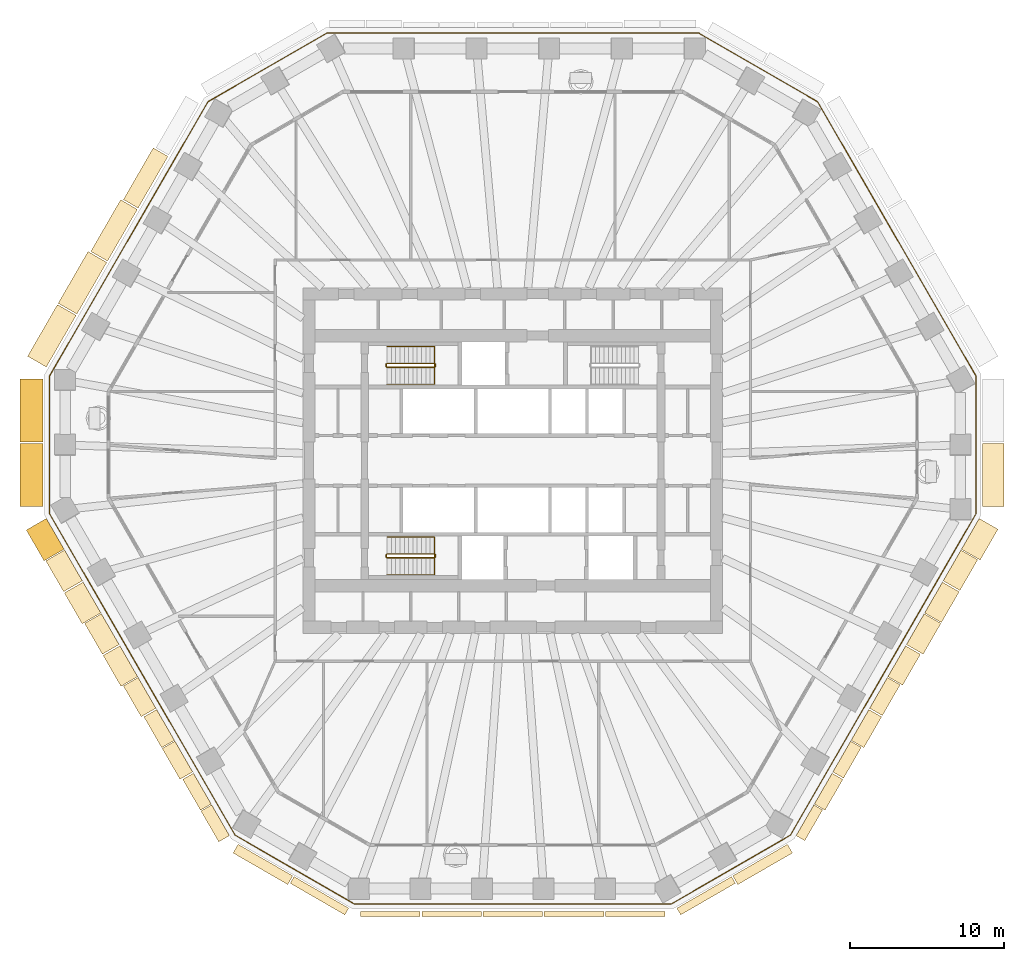
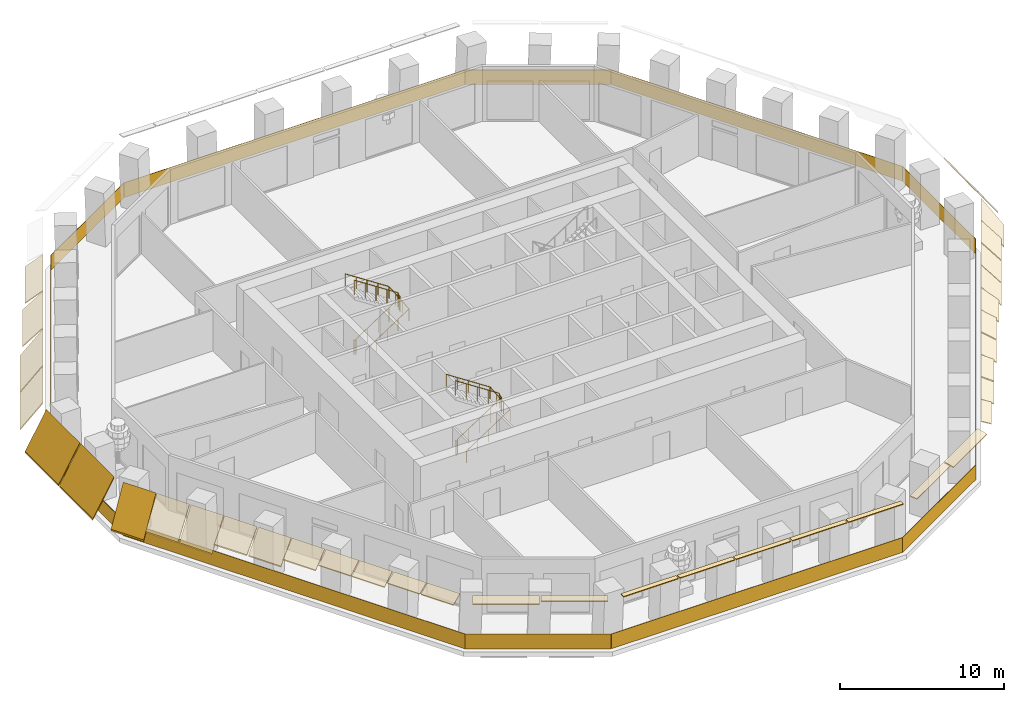
# One storey, part 10 of 13: 36 coverings, 5 railings.
"""IFC4 building model written with IfcOpenShell, lengths in metres."""

from ifc_helpers import new_model, si_unit, direction, frame, origin, origin_2d, place, context, subcontext, project, spatial, polyline, rectangle, circle, outline, extrude, material, layer, layer_set, type_object, element, save


model = new_model("IFC4")

# Units and contexts
model_context = context("Model", 3, precision=1e-05, world=origin(), true_north=direction((0.0, 1.0)))
body_context = subcontext(model_context, "Body", "Model", "MODEL_VIEW")
ifc_project = project(units=[si_unit("LENGTHUNIT", "METRE"), si_unit("AREAUNIT", "SQUARE_METRE"), si_unit("VOLUMEUNIT", "CUBIC_METRE"), si_unit("PLANEANGLEUNIT", "RADIAN"), si_unit("MASSUNIT", "GRAM", prefix="KILO")], contexts=[model_context])

# Site, building, storey
site_placement = place(None, origin())
site = spatial("IfcSite", under=ifc_project, at=site_placement, CompositionType="ELEMENT")
building_placement = place(site_placement, origin())
building = spatial("IfcBuilding", under=site, at=building_placement, Name="Frailejon Research Tower", CompositionType="ELEMENT")
storey_placement = place(building_placement, frame((0.0, 0.0, 113.199951171875)))
storey = spatial("IfcBuildingStorey", under=building, at=storey_placement, Name="L24", CompositionType="ELEMENT", Elevation=113.199951171875)

# Coverings
ifc_material_1 = material(Name="Precast concrete C50/60", Category="concrete")
ifc_layer_1 = layer(ifc_material_1, 0.06005859375)
ifc_layer_set_1 = layer_set([ifc_layer_1], Name="Brim blade depth 1100")
covering_type_1 = type_object("IfcCoveringType", Name="Brim blade depth 1100", PredefinedType="CLADDING", material=ifc_layer_set_1)
covering_1_placement = place(storey_placement, frame((-24.27734375, 16.36328125, 4.25), z_axis=(0.499990992214, 0.86603060437, 0.0), x_axis=(-0.86603060437, 0.499990992214, 0.0)))
element("IfcCovering", 1, at=covering_1_placement, inside=storey, type_object=covering_type_1, Name="Brim blade L24", PredefinedType="CLADDING", context=body_context, shape_type="SweptSolid", body=[
    extrude(outline(polyline([(0.0, -0.078369140625), (1.10009765625, -1.001220703125), (1.10009765625, -0.923095703125), (0.0, 0.0), (0.0, -0.078369140625)])), origin(), (0.0, 0.0, 1.0), 3.864990234375),
])
for number, where, z_axis, x_axis, name in (
    (2, (-23.12548828125, -16.04541015625, 4.25), (-0.499988831799, 0.866031851652, 0.0), (-0.866031851652, -0.499988831799, 0.0), "Brim blade L24"),
    (3, (25.45849609375, -12.00439453125, 4.25), (-0.499988831799, -0.866031851652, 0.0), (0.866031851652, -0.499988831799, 0.0), "Brim blade L24"),
):
    element("IfcCovering", number, at=place(storey_placement, frame(where, z_axis=z_axis, x_axis=x_axis)), inside=storey, type_object=covering_type_1, Name=name, PredefinedType="CLADDING", context=body_context, shape_type="SweptSolid", body=[
        extrude(outline(polyline([(0.0, -0.078369140625), (1.10009765625, -1.001220703125), (1.10009765625, -0.923095703125), (0.0, 0.0), (0.0, -0.078369140625)])), origin(), (0.0, 0.0, 1.0), 2.302978515625),
    ])
ifc_material_2 = material(Name="Precast concrete C50/60", Category="concrete")
ifc_layer_2 = layer(ifc_material_2, 0.06005859375)
ifc_layer_set_2 = layer_set([ifc_layer_2], Name="Brim blade depth 1250")
covering_type_2 = type_object("IfcCoveringType", Name="Brim blade depth 1250", PredefinedType="CLADDING", material=ifc_layer_set_2)
covering_2_placement = place(storey_placement, frame((-26.259765625, 12.9296875, 4.25), z_axis=(0.499990992214, 0.86603060437, 0.0), x_axis=(-0.86603060437, 0.499990992214, 0.0)))
element("IfcCovering", 4, at=covering_2_placement, inside=storey, type_object=covering_type_2, Name="Brim blade L24", PredefinedType="CLADDING", context=body_context, shape_type="SweptSolid", body=[
    extrude(outline(polyline([(0.0, -0.0888671875), (1.25, -1.452880859375), (1.25, -1.364013671875), (0.0, 0.0), (0.0, -0.0888671875)])), origin(), (0.0, 0.0, 1.0), 3.864990234375),
])
for number, where, z_axis, x_axis, name in (
    (5, (-25.508544921875, -11.91796875, 4.25), (-0.500004568187, 0.866022766324, 0.0), (-0.866022766324, -0.500004568187, 0.0), "Brim blade L24"),
    (6, (-24.306884765625, -13.9990234375, 4.25), (-0.499988831799, 0.866031851652, 0.0), (-0.866031851652, -0.499988831799, 0.0), "Brim blade L24"),
    (7, (26.66015625, -9.92333984375, 4.25), (-0.500004568187, -0.866022766324, 0.0), (0.866022766324, -0.500004568187, 0.0), "Brim blade L24"),
    (8, (27.841552734375, -7.876953125, 4.25), (-0.500004568187, -0.866022766324, 0.0), (0.866022766324, -0.500004568187, 0.0), "Brim blade L24"),
    (9, (29.043212890625, -5.7958984375, 4.25), (-0.499997917174, -0.866026606301, 0.0), (0.866026606301, -0.499997917174, 0.0), "Brim blade L24"),
):
    element("IfcCovering", number, at=place(storey_placement, frame(where, z_axis=z_axis, x_axis=x_axis)), inside=storey, type_object=covering_type_2, Name=name, PredefinedType="CLADDING", context=body_context, shape_type="SweptSolid", body=[
        extrude(outline(polyline([(0.0, -0.0888671875), (1.25, -1.452880859375), (1.25, -1.364013671875), (0.0, 0.0), (0.0, -0.0888671875)])), origin(), (0.0, 0.0, 1.0), 2.302978515625),
    ])
ifc_material_3 = material(Name="Precast concrete C50/60", Category="concrete")
ifc_layer_3 = layer(ifc_material_3, 0.06005859375)
ifc_layer_set_3 = layer_set([ifc_layer_3], Name="Brim blade depth 1400")
covering_type_3 = type_object("IfcCoveringType", Name="Brim blade depth 1400", PredefinedType="CLADDING", material=ifc_layer_set_3)
covering_3_placement = place(storey_placement, frame((30.430419921875, 1.1064453125, 4.25), z_axis=(0.0, -1.0, 0.0), x_axis=(1.0, 0.0, 0.0)))
element("IfcCovering", 10, at=covering_3_placement, inside=storey, type_object=covering_type_3, Name="Brim blade L24", PredefinedType="CLADDING", context=body_context, shape_type="SweptSolid", body=[
    extrude(outline(polyline([(0.0, -0.1044921875), (1.39990234375, -2.10400390625), (1.39990234375, -1.99951171875), (0.0, 0.0), (0.0, -0.1044921875)])), origin(), (0.0, 0.0, 1.0), 4.087646484375),
])
covering_4_placement = place(storey_placement, frame((-28.2421875, 9.49609375, 4.25), z_axis=(0.50000990814, 0.866019683242, 0.0), x_axis=(-0.866019683242, 0.50000990814, 0.0)))
element("IfcCovering", 11, at=covering_4_placement, inside=storey, type_object=covering_type_3, Name="Brim blade L24", PredefinedType="CLADDING", context=body_context, shape_type="SweptSolid", body=[
    extrude(outline(polyline([(0.0, -0.1044921875), (1.39990234375, -2.10400390625), (1.39990234375, -1.99951171875), (0.0, 0.0), (0.0, -0.1044921875)])), origin(), (0.0, 0.0, 1.0), 3.864990234375),
])
covering_5_placement = place(storey_placement, frame((-30.224609375, 6.0625, 4.25), z_axis=(0.500001913884, 0.8660242988, 0.0), x_axis=(-0.8660242988, 0.500001913884, 0.0)))
element("IfcCovering", 12, at=covering_5_placement, inside=storey, type_object=covering_type_3, Name="Brim blade L24", PredefinedType="CLADDING", context=body_context, shape_type="SweptSolid", body=[
    extrude(outline(polyline([(0.0, -0.1044921875), (1.39990234375, -2.10400390625), (1.39990234375, -1.99951171875), (0.0, 0.0), (0.0, -0.1044921875)])), origin(), (0.0, 0.0, 1.0), 3.86474609375),
])
for number, where, z_axis, x_axis, name in (
    (13, (-27.8916015625, -7.790283203125, 4.25), (-0.499997917174, 0.866026606301, 0.0), (-0.866026606301, -0.499997917174, 0.0), "Brim blade L24"),
    (14, (-26.690185546875, -9.871337890625, 4.25), (-0.500004568187, 0.866022766324, 0.0), (-0.866022766324, -0.500004568187, 0.0), "Brim blade L24"),
    (15, (30.224609375, -3.74951171875, 4.25), (-0.499997917174, -0.866026606301, 0.0), (0.866026606301, -0.499997917174, 0.0), "Brim blade L24"),
):
    element("IfcCovering", number, at=place(storey_placement, frame(where, z_axis=z_axis, x_axis=x_axis)), inside=storey, type_object=covering_type_3, Name=name, PredefinedType="CLADDING", context=body_context, shape_type="SweptSolid", body=[
        extrude(outline(polyline([(0.0, -0.1044921875), (1.39990234375, -2.10400390625), (1.39990234375, -1.99951171875), (0.0, 0.0), (0.0, -0.1044921875)])), origin(), (0.0, 0.0, 1.0), 2.302978515625),
    ])
ifc_material_4 = material(Name="Precast concrete C50/60", Category="concrete")
ifc_layer_4 = layer(ifc_material_4, 0.06005859375)
ifc_layer_set_4 = layer_set([ifc_layer_4], Name="Brim blade depth 1500")
covering_type_4 = type_object("IfcCoveringType", Name="Brim blade depth 1500", PredefinedType="CLADDING", material=ifc_layer_set_4)
for number, where, z_axis, x_axis, name in (
    (16, (-30.430419921875, 1.20654296875, 4.25), (0.0, 1.0, 0.0), (-1.0, 0.0, 0.0), "Brim blade L24"),
    (17, (-30.430419921875, -2.981201171875, 4.25), (0.0, 1.0, 0.0), (-1.0, 0.0, 0.0), "Brim blade L24"),
):
    element("IfcCovering", number, at=place(storey_placement, frame(where, z_axis=z_axis, x_axis=x_axis)), inside=storey, type_object=covering_type_4, Name=name, PredefinedType="CLADDING", context=body_context, shape_type="SweptSolid", body=[
        extrude(outline(polyline([(0.0, -0.1201171875), (1.5, -2.718017578125), (1.5, -2.59814453125), (0.0, 0.0), (0.0, -0.1201171875)])), origin(), (0.0, 0.0, 1.0), 4.087646484375),
    ])
covering_6_placement = place(storey_placement, frame((-29.072998046875, -5.743896484375, 4.25), z_axis=(-0.499997917174, 0.866026606301, 0.0), x_axis=(-0.866026606301, -0.499997917174, 0.0)))
element("IfcCovering", 18, at=covering_6_placement, inside=storey, type_object=covering_type_4, Name="Brim blade L24", PredefinedType="CLADDING", context=body_context, shape_type="SweptSolid", body=[
    extrude(outline(polyline([(0.0, -0.1201171875), (1.5, -2.718017578125), (1.5, -2.59814453125), (0.0, 0.0), (0.0, -0.1201171875)])), origin(), (0.0, 0.0, 1.0), 2.302978515625),
])
ifc_material_5 = material(Name="Precast concrete C50/60", Category="concrete")
ifc_layer_5 = layer(ifc_material_5, 0.06005859375)
ifc_layer_set_5 = layer_set([ifc_layer_5], Name="Brim blade depth 350")
covering_type_5 = type_object("IfcCoveringType", Name="Brim blade depth 350", PredefinedType="CLADDING", material=ifc_layer_set_5)
for number, where, z_axis, x_axis, name in (
    (19, (-5.997314453125, -29.20654296875, 4.25), (-1.0, 0.0, 0.0), (0.0, -1.0, 0.0), "Brim blade L24"),
    (20, (-2.032470703125, -29.20654296875, 4.25), (-1.0, 0.0, 0.0), (0.0, -1.0, 0.0), "Brim blade L24"),
):
    element("IfcCovering", number, at=place(storey_placement, frame(where, z_axis=z_axis, x_axis=x_axis)), inside=storey, type_object=covering_type_5, Name=name, PredefinedType="CLADDING", context=body_context, shape_type="SweptSolid", body=[
        extrude(outline(polyline([(0.0, -0.06005859375), (0.35009765625, -0.06005859375), (0.35009765625, 0.0), (0.0, 0.0), (0.0, -0.06005859375)])), origin(), (0.0, 0.0, 1.0), 3.864990234375),
    ])
covering_7_placement = place(storey_placement, frame((1.932373046875, -29.20654296875, 4.25), z_axis=(-1.0, 0.0, 0.0), x_axis=(0.0, -1.0, 0.0)))
element("IfcCovering", 21, at=covering_7_placement, inside=storey, type_object=covering_type_5, Name="Brim blade L24", PredefinedType="CLADDING", context=body_context, shape_type="SweptSolid", body=[
    extrude(outline(polyline([(0.0, -0.06005859375), (0.35009765625, -0.06005859375), (0.35009765625, 0.0), (0.0, 0.0), (0.0, -0.06005859375)])), origin(), (0.0, 0.0, 1.0), 3.86474609375),
])
for number, where, z_axis, x_axis, name in (
    (22, (5.897216796875, -29.20654296875, 4.25), (-1.0, 0.0, 0.0), (0.0, -1.0, 0.0), "Brim blade L24"),
    (23, (9.8623046875, -29.20654296875, 4.25), (-1.0, 0.0, 0.0), (0.0, -1.0, 0.0), "Brim blade L24"),
):
    element("IfcCovering", number, at=place(storey_placement, frame(where, z_axis=z_axis, x_axis=x_axis)), inside=storey, type_object=covering_type_5, Name=name, PredefinedType="CLADDING", context=body_context, shape_type="SweptSolid", body=[
        extrude(outline(polyline([(0.0, -0.06005859375), (0.35009765625, -0.06005859375), (0.35009765625, 0.0), (0.0, 0.0), (0.0, -0.06005859375)])), origin(), (0.0, 0.0, 1.0), 3.864990234375),
    ])
ifc_material_6 = material(Name="Precast concrete C50/60", Category="concrete")
ifc_layer_6 = layer(ifc_material_6, 0.06005859375)
ifc_layer_set_6 = layer_set([ifc_layer_6], Name="Brim blade depth 500")
covering_type_6 = type_object("IfcCoveringType", Name="Brim blade depth 500", PredefinedType="CLADDING", material=ifc_layer_set_6)
for number, where, z_axis, x_axis, name in (
    (24, (-10.630615234375, -29.00048828125, 4.25), (-0.866021344981, 0.500007029989, 0.0), (-0.500007029989, -0.866021344981, 0.0), "Brim blade L24"),
    (25, (14.17041015625, -26.956787109375, 4.25), (-0.866021344981, -0.500007029989, 0.0), (0.500007029989, -0.866021344981, 0.0), "Brim blade L24"),
):
    element("IfcCovering", number, at=place(storey_placement, frame(where, z_axis=z_axis, x_axis=x_axis)), inside=storey, type_object=covering_type_6, Name=name, PredefinedType="CLADDING", context=body_context, shape_type="SweptSolid", body=[
        extrude(outline(polyline([(0.0, -0.060546875), (0.5, -0.130859375), (0.5, -0.0703125), (0.0, 0.0), (0.0, -0.060546875)])), origin(), (0.0, 0.0, 1.0), 4.08740234375),
    ])
ifc_material_7 = material(Name="Precast concrete C50/60", Category="concrete")
ifc_layer_7 = layer(ifc_material_7, 0.06005859375)
ifc_layer_set_7 = layer_set([ifc_layer_7], Name="Brim blade depth 650")
covering_type_7 = type_object("IfcCoveringType", Name="Brim blade depth 650", PredefinedType="CLADDING", material=ifc_layer_set_7)
for number, where, z_axis, x_axis, name in (
    (26, (-14.257080078125, -26.90673828125, 4.25), (-0.866021344981, 0.500007029989, 0.0), (-0.500007029989, -0.866021344981, 0.0), "Brim blade L24"),
    (27, (17.796875, -24.863037109375, 4.25), (-0.866021344981, -0.500007029989, 0.0), (0.500007029989, -0.866021344981, 0.0), "Brim blade L24"),
):
    element("IfcCovering", number, at=place(storey_placement, frame(where, z_axis=z_axis, x_axis=x_axis)), inside=storey, type_object=covering_type_7, Name=name, PredefinedType="CLADDING", context=body_context, shape_type="SweptSolid", body=[
        extrude(outline(polyline([(0.0, -0.0625), (0.64990234375, -0.248779296875), (0.64990234375, -0.186279296875), (0.0, 0.0), (0.0, -0.0625)])), origin(), (0.0, 0.0, 1.0), 4.08740234375),
    ])
covering_8_placement = place(storey_placement, frame((19.510986328125, -22.30615234375, 4.25), z_axis=(-0.500013653034, -0.866017521058, 0.0), x_axis=(0.866017521058, -0.500013653034, 0.0)))
element("IfcCovering", 28, at=covering_8_placement, inside=storey, type_object=covering_type_7, Name="Brim blade L24", PredefinedType="CLADDING", context=body_context, shape_type="SweptSolid", body=[
    extrude(outline(polyline([(0.0, -0.0625), (0.64990234375, -0.248779296875), (0.64990234375, -0.186279296875), (0.0, 0.0), (0.0, -0.0625)])), origin(), (0.0, 0.0, 1.0), 2.302978515625),
])
ifc_material_8 = material(Name="Precast concrete C50/60", Category="concrete")
ifc_layer_8 = layer(ifc_material_8, 0.06005859375)
ifc_layer_set_8 = layer_set([ifc_layer_8], Name="Brim blade depth 800")
covering_type_8 = type_object("IfcCoveringType", Name="Brim blade depth 800", PredefinedType="CLADDING", material=ifc_layer_set_8)
for number, where, z_axis, x_axis, name in (
    (29, (-19.541015625, -22.254150390625, 4.25), (-0.500013653034, 0.866017521058, 0.0), (-0.866017521058, -0.500013653034, 0.0), "Brim blade L24"),
    (30, (-18.359375, -24.300537109375, 4.25), (-0.500013653034, 0.866017521058, 0.0), (-0.866017521058, -0.500013653034, 0.0), "Brim blade L24"),
    (31, (20.6923828125, -20.259765625, 4.25), (-0.500013653034, -0.866017521058, 0.0), (0.866017521058, -0.500013653034, 0.0), "Brim blade L24"),
    (32, (21.89404296875, -18.1787109375, 4.25), (-0.500004568187, -0.866022766324, 0.0), (0.866022766324, -0.500004568187, 0.0), "Brim blade L24"),
):
    element("IfcCovering", number, at=place(storey_placement, frame(where, z_axis=z_axis, x_axis=x_axis)), inside=storey, type_object=covering_type_8, Name=name, PredefinedType="CLADDING", context=body_context, shape_type="SweptSolid", body=[
        extrude(outline(polyline([(0.0, -0.065673828125), (0.800048828125, -0.421875), (0.800048828125, -0.356201171875), (0.0, 0.0), (0.0, -0.065673828125)])), origin(), (0.0, 0.0, 1.0), 2.302978515625),
    ])
ifc_material_9 = material(Name="Precast concrete C50/60", Category="concrete")
ifc_layer_9 = layer(ifc_material_9, 0.06005859375)
ifc_layer_set_9 = layer_set([ifc_layer_9], Name="Brim blade depth 950")
covering_type_9 = type_object("IfcCoveringType", Name="Brim blade depth 950", PredefinedType="CLADDING", material=ifc_layer_set_9)
for number, where, z_axis, x_axis, name in (
    (33, (-21.924072265625, -18.126708984375, 4.25), (-0.500004568187, 0.866022766324, 0.0), (-0.866022766324, -0.500004568187, 0.0), "Brim blade L24"),
    (34, (-20.742431640625, -20.173095703125, 4.25), (-0.500004568187, 0.866022766324, 0.0), (-0.866022766324, -0.500004568187, 0.0), "Brim blade L24"),
    (35, (23.075439453125, -16.132080078125, 4.25), (-0.500004568187, -0.866022766324, 0.0), (0.866022766324, -0.500004568187, 0.0), "Brim blade L24"),
    (36, (24.277099609375, -14.051025390625, 4.25), (-0.499988831799, -0.866031851652, 0.0), (0.866031851652, -0.499988831799, 0.0), "Brim blade L24"),
):
    element("IfcCovering", number, at=place(storey_placement, frame(where, z_axis=z_axis, x_axis=x_axis)), inside=storey, type_object=covering_type_9, Name=name, PredefinedType="CLADDING", context=body_context, shape_type="SweptSolid", body=[
        extrude(outline(polyline([(0.0, -0.07080078125), (0.949951171875, -0.664306640625), (0.949951171875, -0.593505859375), (0.0, 0.0), (0.0, -0.07080078125)])), origin(), (0.0, 0.0, 1.0), 2.302978515625),
    ])

# Railings
ifc_material_10 = material(Name="Laminated glass balustrade", Category="glass")
railing_type_1 = type_object("IfcRailingType", Name="Glass guard 1100", PredefinedType="GUARDRAIL", material=ifc_material_10)
railing_1_placement = place(storey_placement, frame((30.015380859375, -3.441162109375, 0.0)))
element("IfcRailing", 37, at=railing_1_placement, inside=storey, type_object=railing_type_1, Name="Loggia guard L24", PredefinedType="GUARDRAIL", context=body_context, shape_type="SweptSolid", body=[
    extrude(rectangle(XDim=8.9189453125, YDim=0.030029296875, at=origin_2d()), frame((0.0, 4.45947265625, 0.0), z_axis=(0.0, 0.0, 1.0), x_axis=(0.0, 1.0, 0.0)), (0.0, 0.0, 1.0), 1.10009765625),
    extrude(rectangle(XDim=20.52783203125, YDim=0.030029296875, at=origin_2d()), frame((-5.1318359375, 17.8076171875, 0.0), z_axis=(0.0, 0.0, 1.0), x_axis=(-0.500000762189, 0.866024963734, 0.0)), (0.0, 0.0, 1.0), 1.10009765625),
    extrude(rectangle(XDim=8.918701171875, YDim=0.030029296875, at=origin_2d()), frame((-14.1259765625, 28.92626953125, 0.0), z_axis=(0.0, 0.0, 1.0), x_axis=(-0.866032876802, 0.49998705613, 0.0)), (0.0, 0.0, 1.0), 1.10009765625),
    extrude(rectangle(XDim=24.05517578125, YDim=0.030029296875, at=origin_2d()), frame((-30.015380859375, 31.15576171875, 0.0), z_axis=(0.0, 0.0, 1.0), x_axis=(-1.0, 0.0, 0.0)), (0.0, 0.0, 1.0), 1.10009765625),
    extrude(rectangle(XDim=8.918701171875, YDim=0.030029296875, at=origin_2d()), frame((-45.90478515625, 28.92626953125, 0.0), z_axis=(0.0, 0.0, 1.0), x_axis=(-0.866032876802, -0.49998705613, 0.0)), (0.0, 0.0, 1.0), 1.10009765625),
    extrude(rectangle(XDim=20.52783203125, YDim=0.030029296875, at=origin_2d()), frame((-54.89892578125, 17.8076171875, 0.0), z_axis=(0.0, 0.0, 1.0), x_axis=(-0.500000762189, -0.866024963734, 0.0)), (0.0, 0.0, 1.0), 1.10009765625),
    extrude(rectangle(XDim=8.9189453125, YDim=0.030029296875, at=origin_2d()), frame((-60.03076171875, 4.45947265625, 0.0), z_axis=(0.0, 0.0, 1.0), x_axis=(0.0, -1.0, 0.0)), (0.0, 0.0, 1.0), 1.10009765625),
    extrude(rectangle(XDim=24.05517578125, YDim=0.030029296875, at=origin_2d()), frame((-54.01708984375, -10.416015625, 0.0), z_axis=(0.0, 0.0, 1.0), x_axis=(0.500002122815, -0.866024178173, 0.0)), (0.0, 0.0, 1.0), 1.10009765625),
    extrude(rectangle(XDim=8.918701171875, YDim=0.030029296875, at=origin_2d()), frame((-44.14111328125, -23.06201171875, 0.0), z_axis=(0.0, 0.0, 1.0), x_axis=(0.866021023613, -0.500007586602, 0.0)), (0.0, 0.0, 1.0), 1.10009765625),
    extrude(rectangle(XDim=20.52783203125, YDim=0.030029296875, at=origin_2d()), frame((-30.015380859375, -25.291748046875, 0.0), z_axis=(0.0, 0.0, 1.0), x_axis=(1.0, 0.0, 0.0)), (0.0, 0.0, 1.0), 1.10009765625),
    extrude(rectangle(XDim=8.918701171875, YDim=0.030029296875, at=origin_2d()), frame((-15.8896484375, -23.06201171875, 0.0), z_axis=(0.0, 0.0, 1.0), x_axis=(0.866021023613, 0.500007586602, 0.0)), (0.0, 0.0, 1.0), 1.10009765625),
    extrude(rectangle(XDim=23.98486328125, YDim=0.030029296875, at=origin_2d()), frame((-6.03125, -10.446533203125, 0.0), z_axis=(0.0, 0.0, 1.0), x_axis=(0.50000793263, 0.86602082383, 0.0)), (0.0, 0.0, 1.0), 1.10009765625),
])
ifc_material_11 = material(Name="Stainless steel", Category="steel")
railing_type_2 = type_object("IfcRailingType", Name="Stair guard 1100", PredefinedType="GUARDRAIL", material=ifc_material_11)
railing_2_placement = place(storey_placement, frame((-8.199951171875, 6.25, 0.0)))
element("IfcRailing", 38, at=railing_2_placement, inside=storey, type_object=railing_type_2, Name="L24 ST1 stair guard 1", PredefinedType="GUARDRAIL", context=body_context, shape_type="SweptSolid", body=[
    extrude(circle(Radius=0.02392578125, at=origin_2d()), frame((0.0, 0.0, 1.076171875), z_axis=(0.0, -1.0, 0.0), x_axis=(1.0, 0.0, 0.0)), (0.0, 0.0, 1.0), 0.14990234375),
    extrude(circle(Radius=0.02392578125, at=origin_2d()), frame((0.0, -0.14990234375, 1.076171875), z_axis=(0.254653276557, -0.254653276557, 0.932900539971), x_axis=(0.707106781187, 0.707106781187, 0.0)), (0.0, 0.0, 1.0), 0.196533203125),
    extrude(circle(Radius=0.02392578125, at=origin_2d()), frame((0.050048828125, -0.199951171875, 1.25927734375), z_axis=(0.836613101238, 0.0, 0.547794230379), x_axis=(0.0, 1.0, 0.0)), (0.0, 0.0, 1.0), 3.681396484375),
    extrude(circle(Radius=0.02392578125, at=origin_2d()), frame((3.1298828125, -0.199951171875, 3.27587890625), z_axis=(0.707106781187, 0.707106781187, 0.0), x_axis=(-0.707106781187, 0.707106781187, 0.0)), (0.0, 0.0, 1.0), 0.07080078125),
    extrude(circle(Radius=0.02392578125, at=origin_2d()), frame((3.179931640625, -0.14990234375, 3.27587890625), z_axis=(0.0, 1.0, 0.0), x_axis=(-1.0, 0.0, 0.0)), (0.0, 0.0, 1.0), 0.14990234375),
    extrude(circle(Radius=0.02392578125, at=origin_2d()), frame((3.179931640625, 0.0, 3.27587890625), z_axis=(-0.254653276557, 0.254653276557, 0.932900539971), x_axis=(-0.707106781187, -0.707106781187, 0.0)), (0.0, 0.0, 1.0), 0.196533203125),
    extrude(circle(Radius=0.02392578125, at=origin_2d()), frame((3.1298828125, 0.050048828125, 3.45947265625), z_axis=(-0.836582707638, 0.0, 0.547840645882), x_axis=(0.0, -1.0, 0.0)), (0.0, 0.0, 1.0), 3.681396484375),
    extrude(circle(Radius=0.02099609375, at=origin_2d()), origin(), (0.0, 0.0, 1.0), 1.052001953125),
    extrude(circle(Radius=0.02099609375, at=origin_2d()), frame((0.0, -0.14990234375, 0.0)), (0.0, 0.0, 1.0), 1.052001953125),
    extrude(circle(Radius=0.02099609375, at=origin_2d()), frame((0.050048828125, -0.199951171875, 0.183349609375)), (0.0, 0.0, 1.0), 1.052001953125),
    extrude(circle(Radius=0.02099609375, at=origin_2d()), frame((0.820068359375, -0.199951171875, 0.6875)), (0.0, 0.0, 1.0), 1.052001953125),
    extrude(circle(Radius=0.02099609375, at=origin_2d()), frame((1.58984375, -0.199951171875, 1.191650390625)), (0.0, 0.0, 1.0), 1.052001953125),
    extrude(circle(Radius=0.02099609375, at=origin_2d()), frame((2.35986328125, -0.199951171875, 1.69580078125)), (0.0, 0.0, 1.0), 1.052001953125),
    extrude(circle(Radius=0.02099609375, at=origin_2d()), frame((3.1298828125, -0.199951171875, 2.199951171875)), (0.0, 0.0, 1.0), 1.052001953125),
    extrude(circle(Radius=0.02099609375, at=origin_2d()), frame((3.179931640625, -0.14990234375, 2.199951171875)), (0.0, 0.0, 1.0), 1.052001953125),
    extrude(circle(Radius=0.02099609375, at=origin_2d()), frame((3.179931640625, 0.0, 2.199951171875)), (0.0, 0.0, 1.0), 1.052001953125),
    extrude(circle(Radius=0.02099609375, at=origin_2d()), frame((3.1298828125, 0.050048828125, 2.38330078125)), (0.0, 0.0, 1.0), 1.052001953125),
    extrude(circle(Radius=0.02099609375, at=origin_2d()), frame((2.35986328125, 0.050048828125, 2.887451171875)), (0.0, 0.0, 1.0), 1.052001953125),
    extrude(circle(Radius=0.02099609375, at=origin_2d()), frame((1.58984375, 0.050048828125, 3.3916015625)), (0.0, 0.0, 1.0), 1.052001953125),
    extrude(circle(Radius=0.02099609375, at=origin_2d()), frame((0.820068359375, 0.050048828125, 3.89599609375)), (0.0, 0.0, 1.0), 1.052001953125),
    extrude(circle(Radius=0.02099609375, at=origin_2d()), frame((0.050048828125, 0.050048828125, 4.400146484375)), (0.0, 0.0, 1.0), 1.052001953125),
])
railing_3_placement = place(storey_placement, frame((-8.199951171875, -6.10009765625, 0.0)))
element("IfcRailing", 39, at=railing_3_placement, inside=storey, type_object=railing_type_2, Name="L24 ST2 stair guard 1", PredefinedType="GUARDRAIL", context=body_context, shape_type="SweptSolid", body=[
    extrude(circle(Radius=0.02392578125, at=origin_2d()), frame((0.0, 0.0, 1.076171875), z_axis=(0.0, -1.0, 0.0), x_axis=(1.0, 0.0, 0.0)), (0.0, 0.0, 1.0), 0.14990234375),
    extrude(circle(Radius=0.02392578125, at=origin_2d()), frame((0.0, -0.14990234375, 1.076171875), z_axis=(0.254653276557, -0.254653276557, 0.932900539971), x_axis=(0.707106781187, 0.707106781187, 0.0)), (0.0, 0.0, 1.0), 0.196533203125),
    extrude(circle(Radius=0.02392578125, at=origin_2d()), frame((0.050048828125, -0.199951171875, 1.25927734375), z_axis=(0.836613101238, 0.0, 0.547794230379), x_axis=(0.0, 1.0, 0.0)), (0.0, 0.0, 1.0), 3.681396484375),
    extrude(circle(Radius=0.02392578125, at=origin_2d()), frame((3.1298828125, -0.199951171875, 3.27587890625), z_axis=(0.707106781187, 0.707106781187, 0.0), x_axis=(-0.707106781187, 0.707106781187, 0.0)), (0.0, 0.0, 1.0), 0.07080078125),
    extrude(circle(Radius=0.02392578125, at=origin_2d()), frame((3.179931640625, -0.14990234375, 3.27587890625), z_axis=(0.0, 1.0, 0.0), x_axis=(-1.0, 0.0, 0.0)), (0.0, 0.0, 1.0), 0.14990234375),
    extrude(circle(Radius=0.02392578125, at=origin_2d()), frame((3.179931640625, 0.0, 3.27587890625), z_axis=(-0.254653276557, 0.254653276557, 0.932900539971), x_axis=(-0.707106781187, -0.707106781187, 0.0)), (0.0, 0.0, 1.0), 0.196533203125),
    extrude(circle(Radius=0.02392578125, at=origin_2d()), frame((3.1298828125, 0.050048828125, 3.45947265625), z_axis=(-0.836582707638, 0.0, 0.547840645882), x_axis=(0.0, -1.0, 0.0)), (0.0, 0.0, 1.0), 3.681396484375),
    extrude(circle(Radius=0.02099609375, at=origin_2d()), origin(), (0.0, 0.0, 1.0), 1.052001953125),
    extrude(circle(Radius=0.02099609375, at=origin_2d()), frame((0.0, -0.14990234375, 0.0)), (0.0, 0.0, 1.0), 1.052001953125),
    extrude(circle(Radius=0.02099609375, at=origin_2d()), frame((0.050048828125, -0.199951171875, 0.183349609375)), (0.0, 0.0, 1.0), 1.052001953125),
    extrude(circle(Radius=0.02099609375, at=origin_2d()), frame((0.820068359375, -0.199951171875, 0.6875)), (0.0, 0.0, 1.0), 1.052001953125),
    extrude(circle(Radius=0.02099609375, at=origin_2d()), frame((1.58984375, -0.199951171875, 1.191650390625)), (0.0, 0.0, 1.0), 1.052001953125),
    extrude(circle(Radius=0.02099609375, at=origin_2d()), frame((2.35986328125, -0.199951171875, 1.69580078125)), (0.0, 0.0, 1.0), 1.052001953125),
    extrude(circle(Radius=0.02099609375, at=origin_2d()), frame((3.1298828125, -0.199951171875, 2.199951171875)), (0.0, 0.0, 1.0), 1.052001953125),
    extrude(circle(Radius=0.02099609375, at=origin_2d()), frame((3.179931640625, -0.14990234375, 2.199951171875)), (0.0, 0.0, 1.0), 1.052001953125),
    extrude(circle(Radius=0.02099609375, at=origin_2d()), frame((3.179931640625, 0.0, 2.199951171875)), (0.0, 0.0, 1.0), 1.052001953125),
    extrude(circle(Radius=0.02099609375, at=origin_2d()), frame((3.1298828125, 0.050048828125, 2.38330078125)), (0.0, 0.0, 1.0), 1.052001953125),
    extrude(circle(Radius=0.02099609375, at=origin_2d()), frame((2.35986328125, 0.050048828125, 2.887451171875)), (0.0, 0.0, 1.0), 1.052001953125),
    extrude(circle(Radius=0.02099609375, at=origin_2d()), frame((1.58984375, 0.050048828125, 3.3916015625)), (0.0, 0.0, 1.0), 1.052001953125),
    extrude(circle(Radius=0.02099609375, at=origin_2d()), frame((0.820068359375, 0.050048828125, 3.89599609375)), (0.0, 0.0, 1.0), 1.052001953125),
    extrude(circle(Radius=0.02099609375, at=origin_2d()), frame((0.050048828125, 0.050048828125, 4.400146484375)), (0.0, 0.0, 1.0), 1.052001953125),
])
ifc_material_12 = material(Name="Stainless steel", Category="steel")
railing_type_3 = type_object("IfcRailingType", Name="Stair handrail 900", PredefinedType="HANDRAIL", material=ifc_material_12)
railing_4_placement = place(storey_placement, frame((-8.14990234375, 4.949951171875, 0.183349609375)))
element("IfcRailing", 40, at=railing_4_placement, inside=storey, type_object=railing_type_3, Name="L24 ST1 stair handrail 1", PredefinedType="HANDRAIL", context=body_context, shape_type="SweptSolid", body=[
    extrude(circle(Radius=0.02392578125, at=origin_2d()), frame((0.0, 0.0, 0.8759765625), z_axis=(0.836613101238, 0.0, 0.547794230379), x_axis=(0.0, 1.0, 0.0)), (0.0, 0.0, 1.0), 3.681396484375),
    extrude(circle(Radius=0.02392578125, at=origin_2d()), frame((3.079833984375, 0.0, 2.892578125), z_axis=(0.0, 0.99721134034, 0.074629368868), x_axis=(-1.0, 0.0, 0.0)), (0.0, 0.0, 1.0), 2.456787109375),
    extrude(circle(Radius=0.02392578125, at=origin_2d()), frame((3.079833984375, 2.449951171875, 3.07568359375), z_axis=(-0.836582707638, 0.0, 0.547840645882), x_axis=(0.0, -1.0, 0.0)), (0.0, 0.0, 1.0), 3.681396484375),
    extrude(circle(Radius=0.02099609375, at=origin_2d()), origin(), (0.0, 0.0, 1.0), 0.851806640625),
    extrude(circle(Radius=0.02099609375, at=origin_2d()), frame((0.77001953125, 0.0, 0.504150390625)), (0.0, 0.0, 1.0), 0.851806640625),
    extrude(circle(Radius=0.02099609375, at=origin_2d()), frame((1.5400390625, 0.0, 1.00830078125)), (0.0, 0.0, 1.0), 0.851806640625),
    extrude(circle(Radius=0.02099609375, at=origin_2d()), frame((2.309814453125, 0.0, 1.512451171875)), (0.0, 0.0, 1.0), 0.851806640625),
    extrude(circle(Radius=0.02099609375, at=origin_2d()), frame((3.079833984375, 0.0, 2.0166015625)), (0.0, 0.0, 1.0), 0.851806640625),
    extrude(circle(Radius=0.02099609375, at=origin_2d()), frame((3.079833984375, 0.816650390625, 2.07763671875)), (0.0, 0.0, 1.0), 0.851806640625),
    extrude(circle(Radius=0.02099609375, at=origin_2d()), frame((3.079833984375, 1.63330078125, 2.138916015625)), (0.0, 0.0, 1.0), 0.851806640625),
    extrude(circle(Radius=0.02099609375, at=origin_2d()), frame((3.079833984375, 2.449951171875, 2.199951171875)), (0.0, 0.0, 1.0), 0.851806640625),
    extrude(circle(Radius=0.02099609375, at=origin_2d()), frame((2.309814453125, 2.449951171875, 2.7041015625)), (0.0, 0.0, 1.0), 0.851806640625),
    extrude(circle(Radius=0.02099609375, at=origin_2d()), frame((1.5400390625, 2.449951171875, 3.20849609375)), (0.0, 0.0, 1.0), 0.851806640625),
    extrude(circle(Radius=0.02099609375, at=origin_2d()), frame((0.77001953125, 2.449951171875, 3.712646484375)), (0.0, 0.0, 1.0), 0.851806640625),
    extrude(circle(Radius=0.02099609375, at=origin_2d()), frame((0.0, 2.449951171875, 4.216796875)), (0.0, 0.0, 1.0), 0.851806640625),
])
railing_5_placement = place(storey_placement, frame((-8.14990234375, -7.39990234375, 0.183349609375)))
element("IfcRailing", 41, at=railing_5_placement, inside=storey, type_object=railing_type_3, Name="L24 ST2 stair handrail 1", PredefinedType="HANDRAIL", context=body_context, shape_type="SweptSolid", body=[
    extrude(circle(Radius=0.02392578125, at=origin_2d()), frame((0.0, 0.0, 0.8759765625), z_axis=(0.836613101238, 0.0, 0.547794230379), x_axis=(0.0, 1.0, 0.0)), (0.0, 0.0, 1.0), 3.681396484375),
    extrude(circle(Radius=0.02392578125, at=origin_2d()), frame((3.079833984375, 0.0, 2.892578125), z_axis=(0.0, 0.99721134034, 0.074629368868), x_axis=(-1.0, 0.0, 0.0)), (0.0, 0.0, 1.0), 2.456787109375),
    extrude(circle(Radius=0.02392578125, at=origin_2d()), frame((3.079833984375, 2.449951171875, 3.07568359375), z_axis=(-0.836582707638, 0.0, 0.547840645882), x_axis=(0.0, -1.0, 0.0)), (0.0, 0.0, 1.0), 3.681396484375),
    extrude(circle(Radius=0.02099609375, at=origin_2d()), origin(), (0.0, 0.0, 1.0), 0.851806640625),
    extrude(circle(Radius=0.02099609375, at=origin_2d()), frame((0.77001953125, 0.0, 0.504150390625)), (0.0, 0.0, 1.0), 0.851806640625),
    extrude(circle(Radius=0.02099609375, at=origin_2d()), frame((1.5400390625, 0.0, 1.00830078125)), (0.0, 0.0, 1.0), 0.851806640625),
    extrude(circle(Radius=0.02099609375, at=origin_2d()), frame((2.309814453125, 0.0, 1.512451171875)), (0.0, 0.0, 1.0), 0.851806640625),
    extrude(circle(Radius=0.02099609375, at=origin_2d()), frame((3.079833984375, 0.0, 2.0166015625)), (0.0, 0.0, 1.0), 0.851806640625),
    extrude(circle(Radius=0.02099609375, at=origin_2d()), frame((3.079833984375, 0.816650390625, 2.07763671875)), (0.0, 0.0, 1.0), 0.851806640625),
    extrude(circle(Radius=0.02099609375, at=origin_2d()), frame((3.079833984375, 1.63330078125, 2.138916015625)), (0.0, 0.0, 1.0), 0.851806640625),
    extrude(circle(Radius=0.02099609375, at=origin_2d()), frame((3.079833984375, 2.449951171875, 2.199951171875)), (0.0, 0.0, 1.0), 0.851806640625),
    extrude(circle(Radius=0.02099609375, at=origin_2d()), frame((2.309814453125, 2.449951171875, 2.7041015625)), (0.0, 0.0, 1.0), 0.851806640625),
    extrude(circle(Radius=0.02099609375, at=origin_2d()), frame((1.5400390625, 2.449951171875, 3.20849609375)), (0.0, 0.0, 1.0), 0.851806640625),
    extrude(circle(Radius=0.02099609375, at=origin_2d()), frame((0.77001953125, 2.449951171875, 3.712646484375)), (0.0, 0.0, 1.0), 0.851806640625),
    extrude(circle(Radius=0.02099609375, at=origin_2d()), frame((0.0, 2.449951171875, 4.216796875)), (0.0, 0.0, 1.0), 0.851806640625),
])

save(model, "model.ifc")
